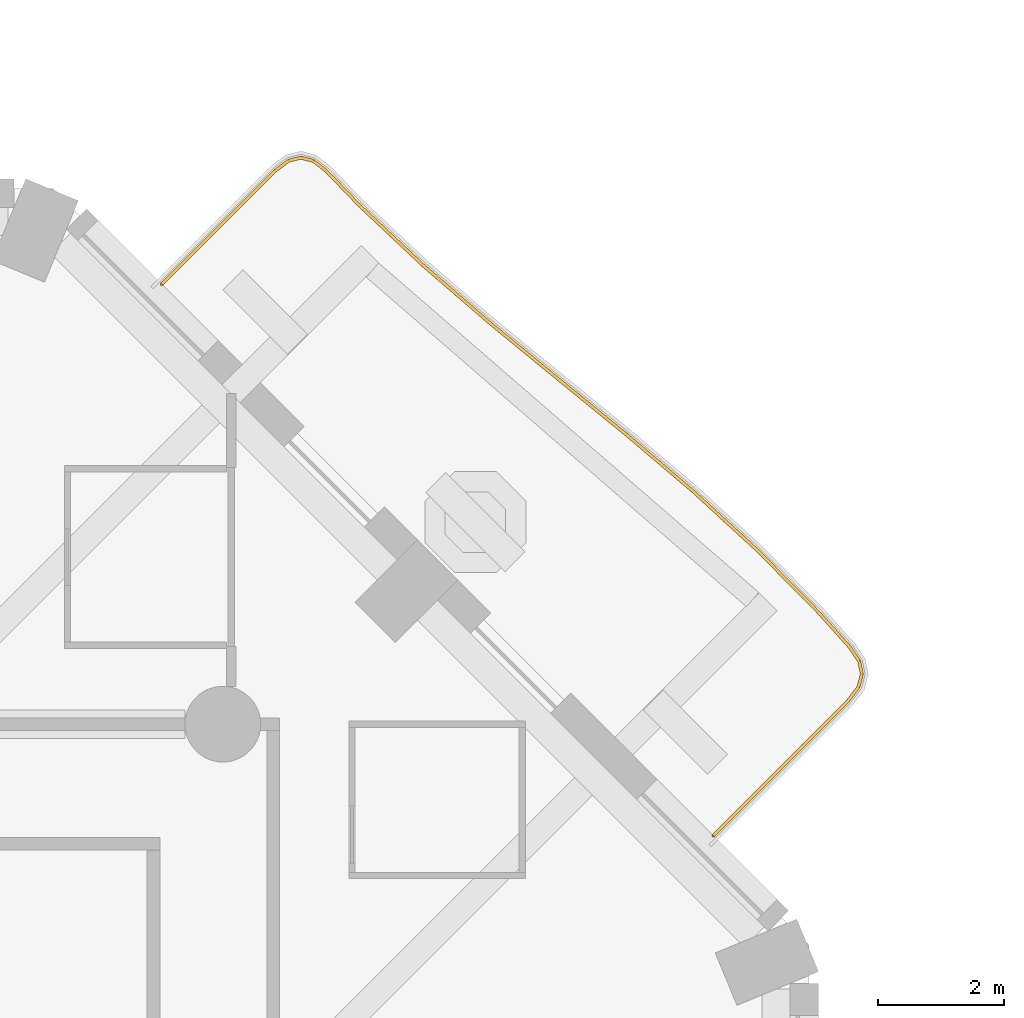
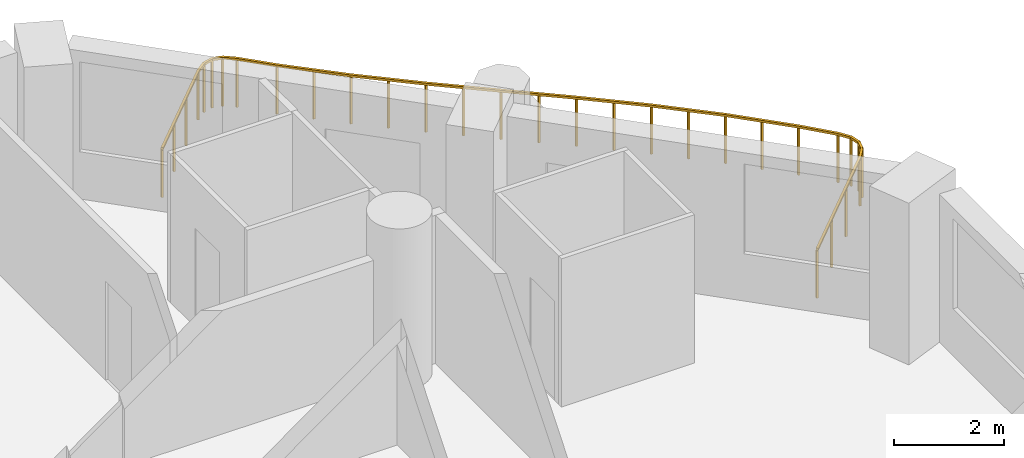
# One storey, part 19 of 20: 1 railing.
"""IFC4 building model written with IfcOpenShell, lengths in metres."""

from ifc_helpers import new_model, si_unit, direction, frame, origin, origin_2d, place, context, subcontext, project, spatial, rectangle, extrude, material, type_object, element, save


model = new_model("IFC4")

# Units and contexts
model_context = context("Model", 3, precision=1e-05, world=origin(), true_north=direction((0.0, 1.0)))
body_context = subcontext(model_context, "Body", "Model", "MODEL_VIEW")
ifc_project = project(units=[si_unit("LENGTHUNIT", "METRE"), si_unit("AREAUNIT", "SQUARE_METRE"), si_unit("VOLUMEUNIT", "CUBIC_METRE"), si_unit("PLANEANGLEUNIT", "RADIAN"), si_unit("MASSUNIT", "GRAM", prefix="KILO")], contexts=[model_context])

# Site, building, storey
site_placement = place(None, origin())
site = spatial("IfcSite", under=ifc_project, at=site_placement, CompositionType="ELEMENT")
building_placement = place(site_placement, origin())
building = spatial("IfcBuilding", under=site, at=building_placement, Name="Cypress Arch Tower", CompositionType="ELEMENT")
storey_placement = place(building_placement, frame((0.0, 0.0, 95.10009765625)))
storey = spatial("IfcBuildingStorey", under=building, at=storey_placement, Name="L18", CompositionType="ELEMENT", Elevation=95.10009765625)

# Railing
ifc_material = material(Name="Powder-coated steel posts and rods, 100 mm clear between rods", Category="steel")
railing_type = type_object("IfcRailingType", Name="Balcony guard GR1100", PredefinedType="GUARDRAIL", material=ifc_material)
railing_placement = place(storey_placement, frame((14.33251953125, 24.479736328125, 0.0)))
element("IfcRailing", 1, at=railing_placement, inside=storey, type_object=railing_type, Name="Balcony guard L18-A07", PredefinedType="GUARDRAIL", context=body_context, shape_type="SweptSolid", body=[
    extrude(rectangle(XDim=0.050048828125, YDim=0.050048828125, at=origin_2d()), frame((0.0, 0.0, 1.0751953125), z_axis=(0.707106781187, 0.707106781187, 0.0), x_axis=(-0.707106781187, 0.707106781187, 0.0)), (0.0, 0.0, 1.0), 2.549560546875),
    extrude(rectangle(XDim=0.050048828125, YDim=0.050048828125, at=origin_2d()), frame((1.802734375, 1.802734375, 1.0751953125), z_axis=(0.8, 0.6, 0.0), x_axis=(-0.6, 0.8, 0.0)), (0.0, 0.0, 1.0), 0.26123046875),
    extrude(rectangle(XDim=0.050048828125, YDim=0.050048828125, at=origin_2d()), frame((2.01171875, 1.95947265625, 1.0751953125), z_axis=(0.971337123919, 0.237706103617, 0.0), x_axis=(-0.237706103617, 0.971337123919, 0.0)), (0.0, 0.0, 1.0), 0.202392578125),
    extrude(rectangle(XDim=0.050048828125, YDim=0.050048828125, at=origin_2d()), frame((2.208251953125, 2.007568359375, 1.0751953125), z_axis=(0.9667928776, -0.25556120954, 0.0), x_axis=(0.25556120954, 0.9667928776, 0.0)), (0.0, 0.0, 1.0), 0.20263671875),
    extrude(rectangle(XDim=0.050048828125, YDim=0.050048828125, at=origin_2d()), frame((2.404052734375, 1.955810546875, 1.0751953125), z_axis=(0.788293658491, -0.615299202001, 0.0), x_axis=(0.615299202001, 0.788293658491, 0.0)), (0.0, 0.0, 1.0), 0.260986328125),
    extrude(rectangle(XDim=0.050048828125, YDim=0.050048828125, at=origin_2d()), frame((2.60986328125, 1.795166015625, 1.0751953125), z_axis=(0.693647861143, -0.720314268033, 0.0), x_axis=(0.720314268033, 0.693647861143, 0.0)), (0.0, 0.0, 1.0), 0.760009765625),
    extrude(rectangle(XDim=0.050048828125, YDim=0.050048828125, at=origin_2d()), frame((3.136962890625, 1.247802734375, 1.0751953125), z_axis=(0.728401261315, -0.685150788159, 0.0), x_axis=(0.685150788159, 0.728401261315, 0.0)), (0.0, 0.0, 1.0), 1.388671875),
    extrude(rectangle(XDim=0.050048828125, YDim=0.050048828125, at=origin_2d()), frame((4.1484375, 0.29638671875, 1.0751953125), z_axis=(0.756823007769, -0.653619870346, 0.0), x_axis=(0.653619870346, 0.756823007769, 0.0)), (0.0, 0.0, 1.0), 1.39111328125),
    extrude(rectangle(XDim=0.050048828125, YDim=0.050048828125, at=origin_2d()), frame((5.201171875, -0.61279296875, 1.0751953125), z_axis=(0.773254041021, -0.634096355489, 0.0), x_axis=(0.634096355489, 0.773254041021, 0.0)), (0.0, 0.0, 1.0), 1.39306640625),
    extrude(rectangle(XDim=0.050048828125, YDim=0.050048828125, at=origin_2d()), frame((6.2783203125, -1.49609375, 1.0751953125), z_axis=(0.775174560057, -0.631747102439, 0.0), x_axis=(0.631747102439, 0.775174560057, 0.0)), (0.0, 0.0, 1.0), 1.392333984375),
    extrude(rectangle(XDim=0.050048828125, YDim=0.050048828125, at=origin_2d()), frame((7.357666015625, -2.375732421875, 1.0751953125), z_axis=(0.762411891851, -0.647092039175, 0.0), x_axis=(0.647092039175, 0.762411891851, 0.0)), (0.0, 0.0, 1.0), 1.388916015625),
    extrude(rectangle(XDim=0.050048828125, YDim=0.050048828125, at=origin_2d()), frame((8.41650390625, -3.2744140625, 1.0751953125), z_axis=(0.736612340327, -0.676315207634, 0.0), x_axis=(0.676315207634, 0.736612340327, 0.0)), (0.0, 0.0, 1.0), 1.384765625),
    extrude(rectangle(XDim=0.050048828125, YDim=0.050048828125, at=origin_2d()), frame((9.4365234375, -4.2109375, 1.0751953125), z_axis=(0.70268029999, -0.711505724507, 0.0), x_axis=(0.711505724507, 0.70268029999, 0.0)), (0.0, 0.0, 1.0), 1.383056640625),
    extrude(rectangle(XDim=0.050048828125, YDim=0.050048828125, at=origin_2d()), frame((10.408447265625, -5.195068359375, 1.0751953125), z_axis=(0.668110829358, -0.744061771424, 0.0), x_axis=(0.744061771424, 0.668110829358, 0.0)), (0.0, 0.0, 1.0), 0.758544921875),
    extrude(rectangle(XDim=0.050048828125, YDim=0.050048828125, at=origin_2d()), frame((10.915283203125, -5.759521484375, 1.0751953125), z_axis=(0.557252483041, -0.83034310387, 0.0), x_axis=(0.83034310387, 0.557252483041, 0.0)), (0.0, 0.0, 1.0), 0.2646484375),
    extrude(rectangle(XDim=0.050048828125, YDim=0.050048828125, at=origin_2d()), frame((11.062744140625, -5.979248046875, 1.0751953125), z_axis=(0.204554165988, -0.978855246284, 0.0), x_axis=(0.978855246284, 0.204554165988, 0.0)), (0.0, 0.0, 1.0), 0.211181640625),
    extrude(rectangle(XDim=0.050048828125, YDim=0.050048828125, at=origin_2d()), frame((11.10595703125, -6.18603515625, 1.0751953125), z_axis=(-0.256655116879, -0.966503052752, 0.0), x_axis=(0.966503052752, -0.256655116879, 0.0)), (0.0, 0.0, 1.0), 0.211181640625),
    extrude(rectangle(XDim=0.050048828125, YDim=0.050048828125, at=origin_2d()), frame((11.0517578125, -6.39013671875, 1.0751953125), z_axis=(-0.601031947855, -0.799224998144, 0.0), x_axis=(0.799224998144, -0.601031947855, 0.0)), (0.0, 0.0, 1.0), 0.264892578125),
    extrude(rectangle(XDim=0.050048828125, YDim=0.050048828125, at=origin_2d()), frame((10.892578125, -6.601806640625, 1.0751953125), z_axis=(-0.70706654637, -0.707147013714, 0.0), x_axis=(0.707147013714, -0.70706654637, 0.0)), (0.0, 0.0, 1.0), 3.033935546875),
    extrude(rectangle(XDim=0.0400390625, YDim=0.0400390625, at=origin_2d()), origin(), (0.0, 0.0, 1.0), 1.050048828125),
    extrude(rectangle(XDim=0.0400390625, YDim=0.0400390625, at=origin_2d()), frame((0.600830078125, 0.600830078125, 0.0)), (0.0, 0.0, 1.0), 1.050048828125),
    extrude(rectangle(XDim=0.0400390625, YDim=0.0400390625, at=origin_2d()), frame((1.201904296875, 1.201904296875, 0.0)), (0.0, 0.0, 1.0), 1.050048828125),
    extrude(rectangle(XDim=0.0400390625, YDim=0.0400390625, at=origin_2d()), frame((1.802734375, 1.802734375, 0.0)), (0.0, 0.0, 1.0), 1.050048828125),
    extrude(rectangle(XDim=0.0400390625, YDim=0.0400390625, at=origin_2d()), frame((2.01171875, 1.95947265625, 0.0)), (0.0, 0.0, 1.0), 1.050048828125),
    extrude(rectangle(XDim=0.0400390625, YDim=0.0400390625, at=origin_2d()), frame((2.208251953125, 2.007568359375, 0.0)), (0.0, 0.0, 1.0), 1.050048828125),
    extrude(rectangle(XDim=0.0400390625, YDim=0.0400390625, at=origin_2d()), frame((2.404052734375, 1.955810546875, 0.0)), (0.0, 0.0, 1.0), 1.050048828125),
    extrude(rectangle(XDim=0.0400390625, YDim=0.0400390625, at=origin_2d()), frame((2.60986328125, 1.795166015625, 0.0)), (0.0, 0.0, 1.0), 1.050048828125),
    extrude(rectangle(XDim=0.0400390625, YDim=0.0400390625, at=origin_2d()), frame((3.136962890625, 1.247802734375, 0.0)), (0.0, 0.0, 1.0), 1.050048828125),
    extrude(rectangle(XDim=0.0400390625, YDim=0.0400390625, at=origin_2d()), frame((3.642578125, 0.77197265625, 0.0)), (0.0, 0.0, 1.0), 1.050048828125),
    extrude(rectangle(XDim=0.0400390625, YDim=0.0400390625, at=origin_2d()), frame((4.1484375, 0.29638671875, 0.0)), (0.0, 0.0, 1.0), 1.050048828125),
    extrude(rectangle(XDim=0.0400390625, YDim=0.0400390625, at=origin_2d()), frame((4.6748046875, -0.158203125, 0.0)), (0.0, 0.0, 1.0), 1.050048828125),
    extrude(rectangle(XDim=0.0400390625, YDim=0.0400390625, at=origin_2d()), frame((5.201171875, -0.61279296875, 0.0)), (0.0, 0.0, 1.0), 1.050048828125),
    extrude(rectangle(XDim=0.0400390625, YDim=0.0400390625, at=origin_2d()), frame((5.73974609375, -1.054443359375, 0.0)), (0.0, 0.0, 1.0), 1.050048828125),
    extrude(rectangle(XDim=0.0400390625, YDim=0.0400390625, at=origin_2d()), frame((6.2783203125, -1.49609375, 0.0)), (0.0, 0.0, 1.0), 1.050048828125),
    extrude(rectangle(XDim=0.0400390625, YDim=0.0400390625, at=origin_2d()), frame((6.81787109375, -1.93603515625, 0.0)), (0.0, 0.0, 1.0), 1.050048828125),
    extrude(rectangle(XDim=0.0400390625, YDim=0.0400390625, at=origin_2d()), frame((7.357666015625, -2.375732421875, 0.0)), (0.0, 0.0, 1.0), 1.050048828125),
    extrude(rectangle(XDim=0.0400390625, YDim=0.0400390625, at=origin_2d()), frame((7.88720703125, -2.8251953125, 0.0)), (0.0, 0.0, 1.0), 1.050048828125),
    extrude(rectangle(XDim=0.0400390625, YDim=0.0400390625, at=origin_2d()), frame((8.41650390625, -3.2744140625, 0.0)), (0.0, 0.0, 1.0), 1.050048828125),
    extrude(rectangle(XDim=0.0400390625, YDim=0.0400390625, at=origin_2d()), frame((8.926513671875, -3.74267578125, 0.0)), (0.0, 0.0, 1.0), 1.050048828125),
    extrude(rectangle(XDim=0.0400390625, YDim=0.0400390625, at=origin_2d()), frame((9.4365234375, -4.2109375, 0.0)), (0.0, 0.0, 1.0), 1.050048828125),
    extrude(rectangle(XDim=0.0400390625, YDim=0.0400390625, at=origin_2d()), frame((9.92236328125, -4.703125, 0.0)), (0.0, 0.0, 1.0), 1.050048828125),
    extrude(rectangle(XDim=0.0400390625, YDim=0.0400390625, at=origin_2d()), frame((10.408447265625, -5.195068359375, 0.0)), (0.0, 0.0, 1.0), 1.050048828125),
    extrude(rectangle(XDim=0.0400390625, YDim=0.0400390625, at=origin_2d()), frame((10.915283203125, -5.759521484375, 0.0)), (0.0, 0.0, 1.0), 1.050048828125),
    extrude(rectangle(XDim=0.0400390625, YDim=0.0400390625, at=origin_2d()), frame((11.062744140625, -5.979248046875, 0.0)), (0.0, 0.0, 1.0), 1.050048828125),
    extrude(rectangle(XDim=0.0400390625, YDim=0.0400390625, at=origin_2d()), frame((11.10595703125, -6.18603515625, 0.0)), (0.0, 0.0, 1.0), 1.050048828125),
    extrude(rectangle(XDim=0.0400390625, YDim=0.0400390625, at=origin_2d()), frame((11.0517578125, -6.39013671875, 0.0)), (0.0, 0.0, 1.0), 1.050048828125),
    extrude(rectangle(XDim=0.0400390625, YDim=0.0400390625, at=origin_2d()), frame((10.892578125, -6.601806640625, 0.0)), (0.0, 0.0, 1.0), 1.050048828125),
    extrude(rectangle(XDim=0.0400390625, YDim=0.0400390625, at=origin_2d()), frame((10.177490234375, -7.31689453125, 0.0)), (0.0, 0.0, 1.0), 1.050048828125),
    extrude(rectangle(XDim=0.0400390625, YDim=0.0400390625, at=origin_2d()), frame((9.46240234375, -8.0322265625, 0.0)), (0.0, 0.0, 1.0), 1.050048828125),
    extrude(rectangle(XDim=0.0400390625, YDim=0.0400390625, at=origin_2d()), frame((8.747314453125, -8.747314453125, 0.0)), (0.0, 0.0, 1.0), 1.050048828125),
])

save(model, "model.ifc")
